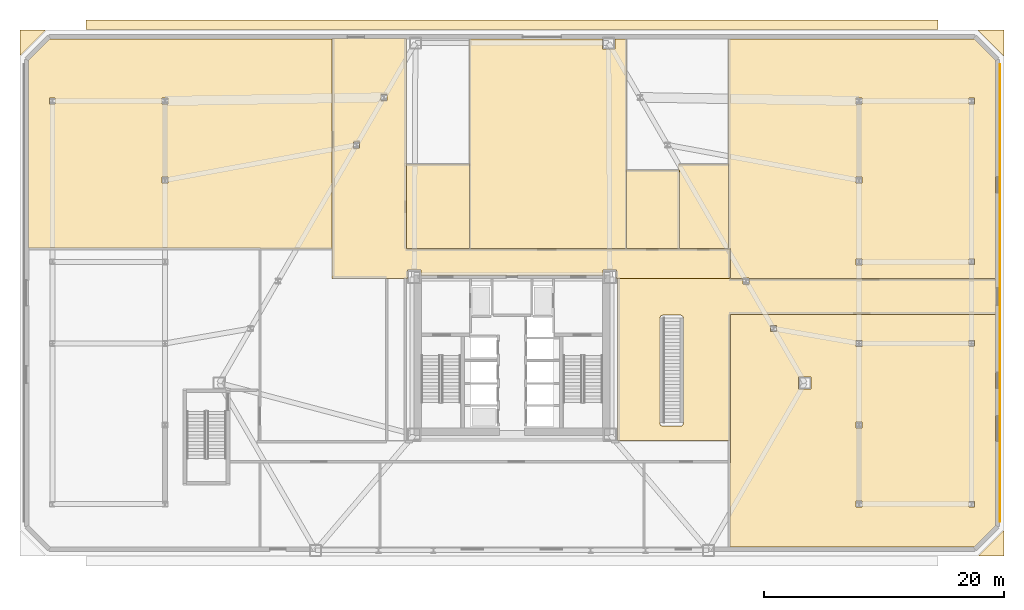
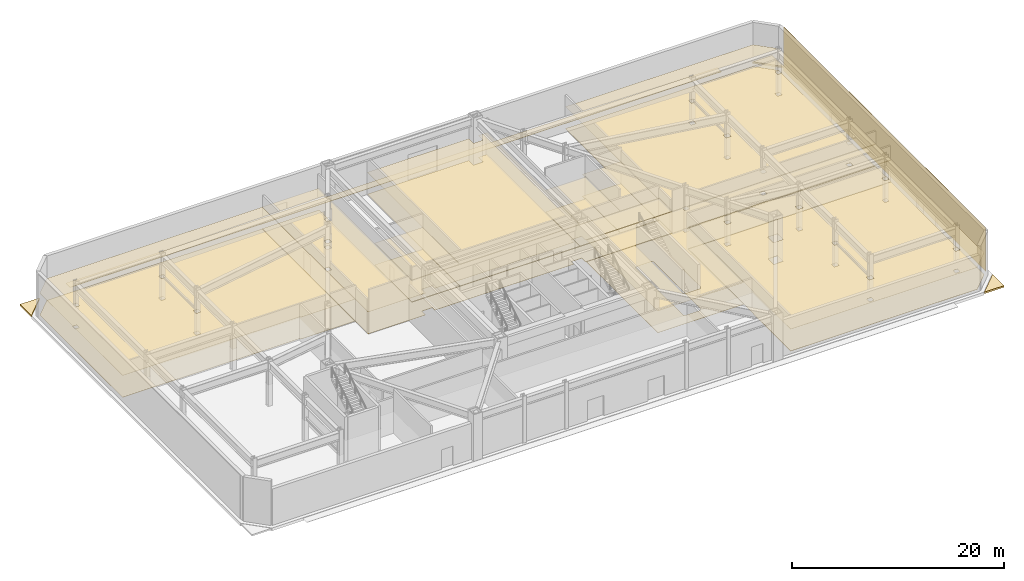
# One storey, part 11 of 12: 23 coverings.
"""IFC4 building model written with IfcOpenShell, lengths in metres."""

from ifc_helpers import new_model, si_unit, direction, frame, origin, origin_2d, place, context, subcontext, project, spatial, polyline, rectangle, outline, extrude, material, layer, layer_set, type_object, element, save


model = new_model("IFC4")

# Units and contexts
model_context = context("Model", 3, precision=1e-05, world=origin(), true_north=direction((0.0, 1.0)))
body_context = subcontext(model_context, "Body", "Model", "MODEL_VIEW")
ifc_project = project(units=[si_unit("LENGTHUNIT", "METRE"), si_unit("AREAUNIT", "SQUARE_METRE"), si_unit("VOLUMEUNIT", "CUBIC_METRE"), si_unit("PLANEANGLEUNIT", "RADIAN"), si_unit("MASSUNIT", "GRAM", prefix="KILO")], contexts=[model_context])

# Site, building, storey
site_placement = place(None, origin())
site = spatial("IfcSite", under=ifc_project, at=site_placement, CompositionType="ELEMENT")
building_placement = place(site_placement, origin())
building = spatial("IfcBuilding", under=site, at=building_placement, Name="Oramaril Tower", CompositionType="ELEMENT")
storey_placement = place(building_placement, origin())
storey = spatial("IfcBuildingStorey", under=building, at=storey_placement, Name="L00", CompositionType="ELEMENT", Elevation=0.0)

# Coverings
ifc_material_1 = material(Name="Mineral Fibre Acoustic Ceiling")
ifc_layer_1 = layer(ifc_material_1, 0.02001953125)
ifc_layer_set_1 = layer_set([ifc_layer_1], Name="CVT-CEIL")
covering_type_1 = type_object("IfcCoveringType", Name="CVT-CEIL", PredefinedType="CEILING", material=ifc_layer_set_1)
covering_1_placement = place(storey_placement, frame((0.0, 0.0, 2.52197265625)))
element("IfcCovering", 1, at=covering_1_placement, inside=storey, type_object=covering_type_1, Name="L00 Acoustic Suspended Ceiling 2", PredefinedType="CEILING", context=body_context, shape_type="SweptSolid", body=[
    extrude(outline(polyline([(22.52001953125, 44.02001953125), (28.699951171875, 44.02001953125), (28.699951171875, 26.47998046875), (55.679931640625, 26.47998046875), (55.679931640625, 24.02001953125), (46.219970703125, 24.02001953125), (46.219970703125, 24.719970703125), (45.080078125, 24.719970703125), (45.080078125, 24.25), (29.919921875, 24.25), (29.919921875, 24.719970703125), (28.780029296875, 24.719970703125), (28.780029296875, 24.02001953125), (22.52001953125, 24.02001953125), (22.52001953125, 44.02001953125)]), holes=[polyline([(24.795654296875, 35.390380859375), (24.290771484375, 35.390380859375), (24.290771484375, 34.885498046875), (24.795654296875, 34.885498046875), (24.795654296875, 35.390380859375)]), polyline([(27.08642578125, 38.85302734375), (27.08642578125, 39.358154296875), (26.581298828125, 39.358154296875), (26.581298828125, 38.85302734375), (27.08642578125, 38.85302734375)])]), origin(), (0.0, 0.0, 1.0), 0.02001953125),
])
covering_2_placement = place(storey_placement, frame((0.0, 0.0, 2.52197265625)))
element("IfcCovering", 2, at=covering_2_placement, inside=storey, type_object=covering_type_1, Name="L00 Acoustic Suspended Ceiling 4", PredefinedType="CEILING", context=body_context, shape_type="SweptSolid", body=[
    extrude(outline(polyline([(55.679931640625, 23.97998046875), (56.749267578125, 23.97998046875), (56.749267578125, 23.549560546875), (57.254150390625, 23.549560546875), (57.254150390625, 23.97998046875), (77.820068359375, 23.97998046875), (77.820068359375, 21.02001953125), (55.679931640625, 21.02001953125), (55.679931640625, 10.5), (46.300048828125, 10.5), (46.300048828125, 24.0), (55.679931640625, 24.0), (55.679931640625, 23.97998046875)]), holes=[polyline([(49.835693359375, 20.772216796875), (49.829833984375, 20.748291015625), (49.826171875, 20.72412109375), (49.824951171875, 20.699462890625), (49.824951171875, 11.949951171875), (49.826171875, 11.925537109375), (49.829833984375, 11.901123046875), (49.835693359375, 11.87744140625), (49.843994140625, 11.854248046875), (49.8544921875, 11.832275390625), (49.8671875, 11.81103515625), (49.881591796875, 11.79150390625), (49.898193359375, 11.773193359375), (49.91650390625, 11.756591796875), (49.93603515625, 11.7421875), (49.957275390625, 11.7294921875), (49.979248046875, 11.718994140625), (50.00244140625, 11.710693359375), (50.026123046875, 11.704833984375), (50.050537109375, 11.701171875), (50.074951171875, 11.699951171875), (51.52490234375, 11.699951171875), (51.549560546875, 11.701171875), (51.57373046875, 11.704833984375), (51.59765625, 11.710693359375), (51.62060546875, 11.718994140625), (51.642822265625, 11.7294921875), (51.663818359375, 11.7421875), (51.68359375, 11.756591796875), (51.701904296875, 11.773193359375), (51.71826171875, 11.79150390625), (51.73291015625, 11.81103515625), (51.74560546875, 11.832275390625), (51.756103515625, 11.854248046875), (51.76416015625, 11.87744140625), (51.770263671875, 11.901123046875), (51.773681640625, 11.925537109375), (51.77490234375, 11.949951171875), (51.77490234375, 20.699462890625), (51.773681640625, 20.72412109375), (51.770263671875, 20.748291015625), (51.76416015625, 20.772216796875), (51.756103515625, 20.795166015625), (51.74560546875, 20.8173828125), (51.73291015625, 20.83837890625), (51.71826171875, 20.858154296875), (51.701904296875, 20.876220703125), (51.68359375, 20.892822265625), (51.663818359375, 20.907470703125), (51.642822265625, 20.919921875), (51.62060546875, 20.930419921875), (51.59765625, 20.938720703125), (51.57373046875, 20.944580078125), (51.549560546875, 20.9482421875), (51.52490234375, 20.949462890625), (50.074951171875, 20.949462890625), (50.050537109375, 20.9482421875), (50.026123046875, 20.944580078125), (50.00244140625, 20.938720703125), (49.979248046875, 20.930419921875), (49.957275390625, 20.919921875), (49.93603515625, 20.907470703125), (49.91650390625, 20.892822265625), (49.898193359375, 20.876220703125), (49.881591796875, 20.858154296875), (49.8671875, 20.83837890625), (49.8544921875, 20.8173828125), (49.843994140625, 20.795166015625), (49.835693359375, 20.772216796875)])]), origin(), (0.0, 0.0, 1.0), 0.02001953125),
])
covering_3_placement = place(storey_placement, frame((0.0, 0.0, 2.52197265625)))
element("IfcCovering", 3, at=covering_3_placement, inside=storey, type_object=covering_type_1, Name="L00 Acoustic Suspended Ceiling 8", PredefinedType="CEILING", context=body_context, shape_type="SweptSolid", body=[
    extrude(outline(polyline([(76.002685546875, 1.617919921875), (55.662109375, 1.617919921875), (55.662109375, 8.64990234375), (55.679931640625, 8.64990234375), (55.681884765625, 8.650146484375), (55.683837890625, 8.650390625), (55.685791015625, 8.65087890625), (55.687744140625, 8.651611328125), (55.689453125, 8.65234375), (55.691162109375, 8.6533203125), (55.692626953125, 8.654541015625), (55.694091796875, 8.656005859375), (55.695556640625, 8.6572265625), (55.696533203125, 8.658935546875), (55.697509765625, 8.66064453125), (55.698486328125, 8.662353515625), (55.69921875, 8.664306640625), (55.69970703125, 8.666015625), (55.699951171875, 8.66796875), (55.699951171875, 8.669921875), (55.699951171875, 10.47998046875), (55.699951171875, 10.48193359375), (55.69970703125, 10.48388671875), (55.69921875, 10.48583984375), (55.698486328125, 10.48779296875), (55.697509765625, 10.489501953125), (55.697265625, 10.489990234375), (55.697509765625, 10.490478515625), (55.698486328125, 10.4921875), (55.69921875, 10.494140625), (55.69970703125, 10.49609375), (55.699951171875, 10.498046875), (55.699951171875, 10.5), (55.699951171875, 21.0), (77.781982421875, 21.0), (77.781982421875, 3.3974609375), (76.002685546875, 1.617919921875)]), holes=[polyline([(66.652587890625, 5.452392578125), (66.1474609375, 5.452392578125), (66.1474609375, 4.947509765625), (66.652587890625, 4.947509765625), (66.652587890625, 5.452392578125)]), polyline([(76.037109375, 4.962890625), (76.037109375, 5.43701171875), (75.56298828125, 5.43701171875), (75.56298828125, 4.962890625), (76.037109375, 4.962890625)]), polyline([(66.652587890625, 11.547607421875), (66.652587890625, 12.052490234375), (66.1474609375, 12.052490234375), (66.1474609375, 11.547607421875), (66.652587890625, 11.547607421875)]), polyline([(62.430419921875, 15.820068359375), (61.390380859375, 15.820068359375), (61.390380859375, 14.780029296875), (62.430419921875, 14.780029296875), (62.430419921875, 15.820068359375)]), polyline([(66.652587890625, 18.347412109375), (66.652587890625, 18.8525390625), (66.1474609375, 18.8525390625), (66.1474609375, 18.347412109375), (66.652587890625, 18.347412109375)]), polyline([(76.037109375, 18.8369140625), (75.56298828125, 18.8369140625), (75.56298828125, 18.363037109375), (76.037109375, 18.363037109375), (76.037109375, 18.8369140625)]), polyline([(59.544921875, 19.581787109375), (59.544921875, 20.0869140625), (59.039794921875, 20.0869140625), (59.039794921875, 19.581787109375), (59.544921875, 19.581787109375)])]), origin(), (0.0, 0.0, 1.0), 0.02001953125),
])
covering_4_placement = place(storey_placement, frame((0.0, 0.0, 2.52197265625)))
element("IfcCovering", 4, at=covering_4_placement, inside=storey, type_object=covering_type_1, Name="L00 Acoustic Suspended Ceiling 9", PredefinedType="CEILING", context=body_context, shape_type="SweptSolid", body=[
    extrude(outline(polyline([(77.781982421875, 42.20263671875), (77.781982421875, 24.0), (57.254150390625, 24.0), (57.254150390625, 24.054443359375), (56.749267578125, 24.054443359375), (56.749267578125, 24.0), (55.699951171875, 24.0), (55.699951171875, 24.0), (55.699951171875, 24.001953125), (55.69970703125, 24.00390625), (55.69921875, 24.005859375), (55.698486328125, 24.0078125), (55.697509765625, 24.009521484375), (55.697265625, 24.010009765625), (55.697509765625, 24.010498046875), (55.698486328125, 24.01220703125), (55.69921875, 24.01416015625), (55.69970703125, 24.01611328125), (55.699951171875, 24.01806640625), (55.699951171875, 24.02001953125), (55.699951171875, 26.47998046875), (55.699951171875, 26.48193359375), (55.69970703125, 26.48388671875), (55.69921875, 26.48583984375), (55.698486328125, 26.48779296875), (55.697509765625, 26.489501953125), (55.696533203125, 26.4912109375), (55.695556640625, 26.49267578125), (55.694091796875, 26.494140625), (55.692626953125, 26.49560546875), (55.691162109375, 26.49658203125), (55.689453125, 26.49755859375), (55.687744140625, 26.49853515625), (55.685791015625, 26.4990234375), (55.683837890625, 26.49951171875), (55.681884765625, 26.5), (55.679931640625, 26.5), (55.55810546875, 26.5), (55.55810546875, 43.98193359375), (76.002685546875, 43.98193359375), (77.781982421875, 42.20263671875)]), holes=[polyline([(66.652587890625, 25.652587890625), (66.1474609375, 25.652587890625), (66.1474609375, 25.1474609375), (66.652587890625, 25.1474609375), (66.652587890625, 25.652587890625)]), polyline([(76.037109375, 25.1630859375), (76.037109375, 25.636962890625), (75.56298828125, 25.636962890625), (75.56298828125, 25.1630859375), (76.037109375, 25.1630859375)]), polyline([(66.652587890625, 31.947509765625), (66.652587890625, 32.452392578125), (66.1474609375, 32.452392578125), (66.1474609375, 31.947509765625), (66.652587890625, 31.947509765625)]), polyline([(66.652587890625, 38.547607421875), (66.652587890625, 39.052490234375), (66.1474609375, 39.052490234375), (66.1474609375, 38.547607421875), (66.652587890625, 38.547607421875)]), polyline([(76.037109375, 38.56298828125), (76.037109375, 39.037109375), (75.56298828125, 39.037109375), (75.56298828125, 38.56298828125), (76.037109375, 38.56298828125)])]), origin(), (0.0, 0.0, 1.0), 0.02001953125),
])
covering_5_placement = place(storey_placement, frame((0.0, 0.0, 2.52197265625)))
element("IfcCovering", 5, at=covering_5_placement, inside=storey, type_object=covering_type_1, Name="L00 Acoustic Suspended Ceiling 11", PredefinedType="CEILING", context=body_context, shape_type="SweptSolid", body=[
    extrude(outline(polyline([(16.56201171875, 26.4580078125), (16.56201171875, 26.5419921875), (16.56201171875, 26.5439453125), (16.5615234375, 26.5458984375), (16.56103515625, 26.5478515625), (16.560546875, 26.5498046875), (16.5595703125, 26.551513671875), (16.55859375, 26.552978515625), (16.5576171875, 26.5546875), (16.55615234375, 26.55615234375), (16.5546875, 26.5576171875), (16.552978515625, 26.55859375), (16.551513671875, 26.5595703125), (16.5498046875, 26.560546875), (16.5478515625, 26.56103515625), (16.5458984375, 26.5615234375), (16.5439453125, 26.56201171875), (16.5419921875, 26.56201171875), (-2.781982421875, 26.56201171875), (-2.781982421875, 42.20263671875), (-1.002685546875, 43.98193359375), (22.5, 43.98193359375), (22.5, 26.4580078125), (16.56201171875, 26.4580078125)]), holes=[polyline([(8.8525390625, 31.947509765625), (8.8525390625, 32.452392578125), (8.347412109375, 32.452392578125), (8.347412109375, 31.947509765625), (8.8525390625, 31.947509765625)]), polyline([(-0.56298828125, 38.56298828125), (-0.56298828125, 39.037109375), (-1.037109375, 39.037109375), (-1.037109375, 38.56298828125), (-0.56298828125, 38.56298828125)]), polyline([(8.8525390625, 39.052490234375), (8.347412109375, 39.052490234375), (8.347412109375, 38.547607421875), (8.8525390625, 38.547607421875), (8.8525390625, 39.052490234375)])]), origin(), (0.0, 0.0, 1.0), 0.02001953125),
])
covering_6_placement = place(storey_placement, frame((0.0, 0.0, 2.52197265625)))
element("IfcCovering", 6, at=covering_6_placement, inside=storey, type_object=covering_type_1, Name="L00 Acoustic Suspended Ceiling 12", PredefinedType="CEILING", context=body_context, shape_type="SweptSolid", body=[
    extrude(outline(polyline([(45.0283203125, 43.98193359375), (45.0283203125, 43.1201171875), (46.068115234375, 43.1201171875), (46.068115234375, 43.98193359375), (47.0419921875, 43.98193359375), (47.0419921875, 26.5), (33.9580078125, 26.5), (33.9580078125, 43.98193359375), (45.0283203125, 43.98193359375)])), origin(), (0.0, 0.0, 1.0), 0.02001953125),
])
covering_7_placement = place(storey_placement, frame((0.0, 0.0, 2.52197265625)))
element("IfcCovering", 7, at=covering_7_placement, inside=storey, type_object=covering_type_1, Name="L00 Acoustic Suspended Ceiling 13", PredefinedType="CEILING", context=body_context, shape_type="SweptSolid", body=[
    extrude(outline(polyline([(33.93798828125, 33.5419921875), (33.93798828125, 26.5), (28.719970703125, 26.5), (28.719970703125, 33.5419921875), (33.93798828125, 33.5419921875)])), origin(), (0.0, 0.0, 1.0), 0.02001953125),
])
covering_8_placement = place(storey_placement, frame((0.0, 0.0, 2.52197265625)))
element("IfcCovering", 8, at=covering_8_placement, inside=storey, type_object=covering_type_1, Name="L00 Acoustic Suspended Ceiling 14", PredefinedType="CEILING", context=body_context, shape_type="SweptSolid", body=[
    extrude(outline(polyline([(51.44189453125, 26.5), (47.06201171875, 26.5), (47.06201171875, 33.0419921875), (51.44189453125, 33.0419921875), (51.44189453125, 26.5)])), origin(), (0.0, 0.0, 1.0), 0.02001953125),
])
covering_9_placement = place(storey_placement, frame((0.0, 0.0, 2.52197265625)))
element("IfcCovering", 9, at=covering_9_placement, inside=storey, type_object=covering_type_1, Name="L00 Acoustic Suspended Ceiling 15", PredefinedType="CEILING", context=body_context, shape_type="SweptSolid", body=[
    extrude(outline(polyline([(51.35791015625, 33.5419921875), (55.5380859375, 33.5419921875), (55.5380859375, 26.5), (51.4619140625, 26.5), (51.4619140625, 33.0419921875), (51.4619140625, 33.0439453125), (51.461669921875, 33.0458984375), (51.461181640625, 33.0478515625), (51.46044921875, 33.0498046875), (51.459716796875, 33.051513671875), (51.45849609375, 33.052978515625), (51.45751953125, 33.0546875), (51.4560546875, 33.05615234375), (51.45458984375, 33.0576171875), (51.453125, 33.05859375), (51.451416015625, 33.0595703125), (51.44970703125, 33.060546875), (51.44775390625, 33.06103515625), (51.44580078125, 33.0615234375), (51.444091796875, 33.06201171875), (51.44189453125, 33.06201171875), (51.35791015625, 33.06201171875), (51.35791015625, 33.5419921875)])), origin(), (0.0, 0.0, 1.0), 0.02001953125),
])
ifc_material_2 = material(Name="Warm Cream Limestone", Category="masonry")
ifc_layer_2 = layer(ifc_material_2, 0.050048828125)
ifc_layer_set_2 = layer_set([ifc_layer_2], Name="CVT-CLD")
covering_type_2 = type_object("IfcCoveringType", Name="CVT-CLD", PredefinedType="CLADDING", material=ifc_layer_set_2)
covering_10_placement = place(storey_placement, frame((78.1630859375, 22.800048828125, 0.050048828125), z_axis=(0.0, 0.0, 1.0), x_axis=(0.0, -1.0, 0.0)))
element("IfcCovering", 10, at=covering_10_placement, inside=storey, type_object=covering_type_2, Name="L00 Warm Cream Limestone Cladding", PredefinedType="CLADDING", context=body_context, shape_type="SweptSolid", body=[
    extrude(rectangle(XDim=38.144287109375, YDim=0.050048828125, at=origin_2d()), origin(), (0.0, 0.0, 1.0), 5.02001953125),
])
ifc_material_3 = material(Name="Honed Quartzite Stone Flooring", Category="masonry")
ifc_layer_3 = layer(ifc_material_3, 0.02490234375)
ifc_layer_set_3 = layer_set([ifc_layer_3], Name="CVT-FLR")
covering_type_3 = type_object("IfcCoveringType", Name="CVT-FLR", PredefinedType="FLOORING", material=ifc_layer_set_3)
covering_11_placement = place(storey_placement, origin())
element("IfcCovering", 11, at=covering_11_placement, inside=storey, type_object=covering_type_3, Name="L00 Honed Stone Floor Finish 2", PredefinedType="FLOORING", context=body_context, shape_type="SweptSolid", body=[
    extrude(outline(polyline([(22.52001953125, 44.02001953125), (28.699951171875, 44.02001953125), (28.699951171875, 26.47998046875), (55.679931640625, 26.47998046875), (55.679931640625, 24.02001953125), (46.219970703125, 24.02001953125), (46.219970703125, 24.719970703125), (45.080078125, 24.719970703125), (45.080078125, 24.25), (29.919921875, 24.25), (29.919921875, 24.719970703125), (28.780029296875, 24.719970703125), (28.780029296875, 24.02001953125), (22.52001953125, 24.02001953125), (22.52001953125, 44.02001953125)]), holes=[polyline([(24.795654296875, 35.390380859375), (24.290771484375, 35.390380859375), (24.290771484375, 34.885498046875), (24.795654296875, 34.885498046875), (24.795654296875, 35.390380859375)]), polyline([(27.08642578125, 38.85302734375), (27.08642578125, 39.358154296875), (26.581298828125, 39.358154296875), (26.581298828125, 38.85302734375), (27.08642578125, 38.85302734375)])]), origin(), (0.0, 0.0, 1.0), 0.02490234375),
])
covering_12_placement = place(storey_placement, origin())
element("IfcCovering", 12, at=covering_12_placement, inside=storey, type_object=covering_type_3, Name="L00 Honed Stone Floor Finish 4", PredefinedType="FLOORING", context=body_context, shape_type="SweptSolid", body=[
    extrude(outline(polyline([(55.679931640625, 23.97998046875), (56.749267578125, 23.97998046875), (56.749267578125, 23.549560546875), (57.254150390625, 23.549560546875), (57.254150390625, 23.97998046875), (77.820068359375, 23.97998046875), (77.820068359375, 21.02001953125), (55.679931640625, 21.02001953125), (55.679931640625, 10.5), (46.300048828125, 10.5), (46.300048828125, 24.0), (55.679931640625, 24.0), (55.679931640625, 23.97998046875)]), holes=[polyline([(49.835693359375, 20.772216796875), (49.829833984375, 20.748291015625), (49.826171875, 20.72412109375), (49.824951171875, 20.699462890625), (49.824951171875, 11.949951171875), (49.826171875, 11.925537109375), (49.829833984375, 11.901123046875), (49.835693359375, 11.87744140625), (49.843994140625, 11.854248046875), (49.8544921875, 11.832275390625), (49.8671875, 11.81103515625), (49.881591796875, 11.79150390625), (49.898193359375, 11.773193359375), (49.91650390625, 11.756591796875), (49.93603515625, 11.7421875), (49.957275390625, 11.7294921875), (49.979248046875, 11.718994140625), (50.00244140625, 11.710693359375), (50.026123046875, 11.704833984375), (50.050537109375, 11.701171875), (50.074951171875, 11.699951171875), (51.52490234375, 11.699951171875), (51.549560546875, 11.701171875), (51.57373046875, 11.704833984375), (51.59765625, 11.710693359375), (51.62060546875, 11.718994140625), (51.642822265625, 11.7294921875), (51.663818359375, 11.7421875), (51.68359375, 11.756591796875), (51.701904296875, 11.773193359375), (51.71826171875, 11.79150390625), (51.73291015625, 11.81103515625), (51.74560546875, 11.832275390625), (51.756103515625, 11.854248046875), (51.76416015625, 11.87744140625), (51.770263671875, 11.901123046875), (51.773681640625, 11.925537109375), (51.77490234375, 11.949951171875), (51.77490234375, 20.699462890625), (51.773681640625, 20.72412109375), (51.770263671875, 20.748291015625), (51.76416015625, 20.772216796875), (51.756103515625, 20.795166015625), (51.74560546875, 20.8173828125), (51.73291015625, 20.83837890625), (51.71826171875, 20.858154296875), (51.701904296875, 20.876220703125), (51.68359375, 20.892822265625), (51.663818359375, 20.907470703125), (51.642822265625, 20.919921875), (51.62060546875, 20.930419921875), (51.59765625, 20.938720703125), (51.57373046875, 20.944580078125), (51.549560546875, 20.9482421875), (51.52490234375, 20.949462890625), (50.074951171875, 20.949462890625), (50.050537109375, 20.9482421875), (50.026123046875, 20.944580078125), (50.00244140625, 20.938720703125), (49.979248046875, 20.930419921875), (49.957275390625, 20.919921875), (49.93603515625, 20.907470703125), (49.91650390625, 20.892822265625), (49.898193359375, 20.876220703125), (49.881591796875, 20.858154296875), (49.8671875, 20.83837890625), (49.8544921875, 20.8173828125), (49.843994140625, 20.795166015625), (49.835693359375, 20.772216796875)])]), origin(), (0.0, 0.0, 1.0), 0.02490234375),
])
covering_13_placement = place(storey_placement, origin())
element("IfcCovering", 13, at=covering_13_placement, inside=storey, type_object=covering_type_3, Name="L00 Honed Stone Floor Finish 8", PredefinedType="FLOORING", context=body_context, shape_type="SweptSolid", body=[
    extrude(outline(polyline([(76.002685546875, 1.617919921875), (55.662109375, 1.617919921875), (55.662109375, 8.64990234375), (55.679931640625, 8.64990234375), (55.681884765625, 8.650146484375), (55.683837890625, 8.650390625), (55.685791015625, 8.65087890625), (55.687744140625, 8.651611328125), (55.689453125, 8.65234375), (55.691162109375, 8.6533203125), (55.692626953125, 8.654541015625), (55.694091796875, 8.656005859375), (55.695556640625, 8.6572265625), (55.696533203125, 8.658935546875), (55.697509765625, 8.66064453125), (55.698486328125, 8.662353515625), (55.69921875, 8.664306640625), (55.69970703125, 8.666015625), (55.699951171875, 8.66796875), (55.699951171875, 8.669921875), (55.699951171875, 10.47998046875), (55.699951171875, 10.48193359375), (55.69970703125, 10.48388671875), (55.69921875, 10.48583984375), (55.698486328125, 10.48779296875), (55.697509765625, 10.489501953125), (55.697265625, 10.489990234375), (55.697509765625, 10.490478515625), (55.698486328125, 10.4921875), (55.69921875, 10.494140625), (55.69970703125, 10.49609375), (55.699951171875, 10.498046875), (55.699951171875, 10.5), (55.699951171875, 21.0), (77.781982421875, 21.0), (77.781982421875, 3.3974609375), (76.002685546875, 1.617919921875)]), holes=[polyline([(66.652587890625, 5.452392578125), (66.1474609375, 5.452392578125), (66.1474609375, 4.947509765625), (66.652587890625, 4.947509765625), (66.652587890625, 5.452392578125)]), polyline([(76.037109375, 4.962890625), (76.037109375, 5.43701171875), (75.56298828125, 5.43701171875), (75.56298828125, 4.962890625), (76.037109375, 4.962890625)]), polyline([(66.652587890625, 11.547607421875), (66.652587890625, 12.052490234375), (66.1474609375, 12.052490234375), (66.1474609375, 11.547607421875), (66.652587890625, 11.547607421875)]), polyline([(62.430419921875, 15.820068359375), (61.390380859375, 15.820068359375), (61.390380859375, 14.780029296875), (62.430419921875, 14.780029296875), (62.430419921875, 15.820068359375)]), polyline([(66.652587890625, 18.347412109375), (66.652587890625, 18.8525390625), (66.1474609375, 18.8525390625), (66.1474609375, 18.347412109375), (66.652587890625, 18.347412109375)]), polyline([(76.037109375, 18.8369140625), (75.56298828125, 18.8369140625), (75.56298828125, 18.363037109375), (76.037109375, 18.363037109375), (76.037109375, 18.8369140625)]), polyline([(59.544921875, 19.581787109375), (59.544921875, 20.0869140625), (59.039794921875, 20.0869140625), (59.039794921875, 19.581787109375), (59.544921875, 19.581787109375)])]), origin(), (0.0, 0.0, 1.0), 0.02490234375),
])
covering_14_placement = place(storey_placement, origin())
element("IfcCovering", 14, at=covering_14_placement, inside=storey, type_object=covering_type_3, Name="L00 Honed Stone Floor Finish 9", PredefinedType="FLOORING", context=body_context, shape_type="SweptSolid", body=[
    extrude(outline(polyline([(77.781982421875, 42.20263671875), (77.781982421875, 24.0), (57.254150390625, 24.0), (57.254150390625, 24.054443359375), (56.749267578125, 24.054443359375), (56.749267578125, 24.0), (55.699951171875, 24.0), (55.699951171875, 24.0), (55.699951171875, 24.001953125), (55.69970703125, 24.00390625), (55.69921875, 24.005859375), (55.698486328125, 24.0078125), (55.697509765625, 24.009521484375), (55.697265625, 24.010009765625), (55.697509765625, 24.010498046875), (55.698486328125, 24.01220703125), (55.69921875, 24.01416015625), (55.69970703125, 24.01611328125), (55.699951171875, 24.01806640625), (55.699951171875, 24.02001953125), (55.699951171875, 26.47998046875), (55.699951171875, 26.48193359375), (55.69970703125, 26.48388671875), (55.69921875, 26.48583984375), (55.698486328125, 26.48779296875), (55.697509765625, 26.489501953125), (55.696533203125, 26.4912109375), (55.695556640625, 26.49267578125), (55.694091796875, 26.494140625), (55.692626953125, 26.49560546875), (55.691162109375, 26.49658203125), (55.689453125, 26.49755859375), (55.687744140625, 26.49853515625), (55.685791015625, 26.4990234375), (55.683837890625, 26.49951171875), (55.681884765625, 26.5), (55.679931640625, 26.5), (55.55810546875, 26.5), (55.55810546875, 43.98193359375), (76.002685546875, 43.98193359375), (77.781982421875, 42.20263671875)]), holes=[polyline([(66.652587890625, 25.652587890625), (66.1474609375, 25.652587890625), (66.1474609375, 25.1474609375), (66.652587890625, 25.1474609375), (66.652587890625, 25.652587890625)]), polyline([(76.037109375, 25.1630859375), (76.037109375, 25.636962890625), (75.56298828125, 25.636962890625), (75.56298828125, 25.1630859375), (76.037109375, 25.1630859375)]), polyline([(66.652587890625, 31.947509765625), (66.652587890625, 32.452392578125), (66.1474609375, 32.452392578125), (66.1474609375, 31.947509765625), (66.652587890625, 31.947509765625)]), polyline([(66.652587890625, 38.547607421875), (66.652587890625, 39.052490234375), (66.1474609375, 39.052490234375), (66.1474609375, 38.547607421875), (66.652587890625, 38.547607421875)]), polyline([(76.037109375, 38.56298828125), (76.037109375, 39.037109375), (75.56298828125, 39.037109375), (75.56298828125, 38.56298828125), (76.037109375, 38.56298828125)])]), origin(), (0.0, 0.0, 1.0), 0.02490234375),
])
covering_15_placement = place(storey_placement, origin())
element("IfcCovering", 15, at=covering_15_placement, inside=storey, type_object=covering_type_3, Name="L00 Honed Stone Floor Finish 11", PredefinedType="FLOORING", context=body_context, shape_type="SweptSolid", body=[
    extrude(outline(polyline([(16.56201171875, 26.4580078125), (16.56201171875, 26.5419921875), (16.56201171875, 26.5439453125), (16.5615234375, 26.5458984375), (16.56103515625, 26.5478515625), (16.560546875, 26.5498046875), (16.5595703125, 26.551513671875), (16.55859375, 26.552978515625), (16.5576171875, 26.5546875), (16.55615234375, 26.55615234375), (16.5546875, 26.5576171875), (16.552978515625, 26.55859375), (16.551513671875, 26.5595703125), (16.5498046875, 26.560546875), (16.5478515625, 26.56103515625), (16.5458984375, 26.5615234375), (16.5439453125, 26.56201171875), (16.5419921875, 26.56201171875), (-2.781982421875, 26.56201171875), (-2.781982421875, 42.20263671875), (-1.002685546875, 43.98193359375), (22.5, 43.98193359375), (22.5, 26.4580078125), (16.56201171875, 26.4580078125)]), holes=[polyline([(8.8525390625, 31.947509765625), (8.8525390625, 32.452392578125), (8.347412109375, 32.452392578125), (8.347412109375, 31.947509765625), (8.8525390625, 31.947509765625)]), polyline([(-0.56298828125, 38.56298828125), (-0.56298828125, 39.037109375), (-1.037109375, 39.037109375), (-1.037109375, 38.56298828125), (-0.56298828125, 38.56298828125)]), polyline([(8.8525390625, 39.052490234375), (8.347412109375, 39.052490234375), (8.347412109375, 38.547607421875), (8.8525390625, 38.547607421875), (8.8525390625, 39.052490234375)])]), origin(), (0.0, 0.0, 1.0), 0.02490234375),
])
covering_16_placement = place(storey_placement, origin())
element("IfcCovering", 16, at=covering_16_placement, inside=storey, type_object=covering_type_3, Name="L00 Honed Stone Floor Finish 12", PredefinedType="FLOORING", context=body_context, shape_type="SweptSolid", body=[
    extrude(outline(polyline([(45.0283203125, 43.98193359375), (45.0283203125, 43.1201171875), (46.068115234375, 43.1201171875), (46.068115234375, 43.98193359375), (47.0419921875, 43.98193359375), (47.0419921875, 26.5), (33.9580078125, 26.5), (33.9580078125, 43.98193359375), (45.0283203125, 43.98193359375)])), origin(), (0.0, 0.0, 1.0), 0.02490234375),
])
covering_17_placement = place(storey_placement, origin())
element("IfcCovering", 17, at=covering_17_placement, inside=storey, type_object=covering_type_3, Name="L00 Honed Stone Floor Finish 13", PredefinedType="FLOORING", context=body_context, shape_type="SweptSolid", body=[
    extrude(outline(polyline([(33.93798828125, 33.5419921875), (33.93798828125, 26.5), (28.719970703125, 26.5), (28.719970703125, 33.5419921875), (33.93798828125, 33.5419921875)])), origin(), (0.0, 0.0, 1.0), 0.02490234375),
])
covering_18_placement = place(storey_placement, origin())
element("IfcCovering", 18, at=covering_18_placement, inside=storey, type_object=covering_type_3, Name="L00 Honed Stone Floor Finish 14", PredefinedType="FLOORING", context=body_context, shape_type="SweptSolid", body=[
    extrude(outline(polyline([(51.44189453125, 26.5), (47.06201171875, 26.5), (47.06201171875, 33.0419921875), (51.44189453125, 33.0419921875), (51.44189453125, 26.5)])), origin(), (0.0, 0.0, 1.0), 0.02490234375),
])
covering_19_placement = place(storey_placement, origin())
element("IfcCovering", 19, at=covering_19_placement, inside=storey, type_object=covering_type_3, Name="L00 Honed Stone Floor Finish 15", PredefinedType="FLOORING", context=body_context, shape_type="SweptSolid", body=[
    extrude(outline(polyline([(51.35791015625, 33.5419921875), (55.5380859375, 33.5419921875), (55.5380859375, 26.5), (51.4619140625, 26.5), (51.4619140625, 33.0419921875), (51.4619140625, 33.0439453125), (51.461669921875, 33.0458984375), (51.461181640625, 33.0478515625), (51.46044921875, 33.0498046875), (51.459716796875, 33.051513671875), (51.45849609375, 33.052978515625), (51.45751953125, 33.0546875), (51.4560546875, 33.05615234375), (51.45458984375, 33.0576171875), (51.453125, 33.05859375), (51.451416015625, 33.0595703125), (51.44970703125, 33.060546875), (51.44775390625, 33.06103515625), (51.44580078125, 33.0615234375), (51.444091796875, 33.06201171875), (51.44189453125, 33.06201171875), (51.35791015625, 33.06201171875), (51.35791015625, 33.5419921875)])), origin(), (0.0, 0.0, 1.0), 0.02490234375),
])
ifc_material_4 = material(Name="Concrete C40/50", Category="concrete")
ifc_layer_4 = layer(ifc_material_4, 0.179931640625)
ifc_layer_set_4 = layer_set([ifc_layer_4], Name="CVT-PAV18")
covering_type_4 = type_object("IfcCoveringType", Name="CVT-PAV18", PredefinedType="USERDEFINED", material=ifc_layer_set_4)
covering_20_placement = place(storey_placement, frame((0.0, 0.0, -0.179931640625)))
element("IfcCovering", 20, at=covering_20_placement, inside=storey, type_object=covering_type_4, Name="L00 Grade Corner Entry Paving APR-SE", ObjectType="PAVING", PredefinedType="USERDEFINED", context=body_context, shape_type="SweptSolid", body=[
    extrude(outline(polyline([(76.35009765625, 0.89990234375), (78.5, 0.89990234375), (78.5, 3.050048828125), (76.35009765625, 0.89990234375)])), origin(), (0.0, 0.0, 1.0), 0.179931640625),
])
covering_21_placement = place(storey_placement, frame((0.0, 0.0, -0.179931640625)))
element("IfcCovering", 21, at=covering_21_placement, inside=storey, type_object=covering_type_4, Name="L00 Grade Corner Entry Paving APR-NE", ObjectType="PAVING", PredefinedType="USERDEFINED", context=body_context, shape_type="SweptSolid", body=[
    extrude(outline(polyline([(78.5, 42.550048828125), (78.5, 44.699951171875), (76.35009765625, 44.699951171875), (78.5, 42.550048828125)])), origin(), (0.0, 0.0, 1.0), 0.179931640625),
])
covering_22_placement = place(storey_placement, frame((0.0, 0.0, -0.179931640625)))
element("IfcCovering", 22, at=covering_22_placement, inside=storey, type_object=covering_type_4, Name="L00 Grade Corner Entry Paving APR-NW", ObjectType="PAVING", PredefinedType="USERDEFINED", context=body_context, shape_type="SweptSolid", body=[
    extrude(outline(polyline([(-3.5, 44.699951171875), (-3.5, 42.550048828125), (-1.35009765625, 44.699951171875), (-3.5, 44.699951171875)])), origin(), (0.0, 0.0, 1.0), 0.179931640625),
])
ifc_material_5 = material(Name="Granite Cobble Paving", Category="masonry")
ifc_layer_5 = layer(ifc_material_5, 0.0400390625)
ifc_layer_set_5 = layer_set([ifc_layer_5], Name="CVT-RDW")
covering_type_5 = type_object("IfcCoveringType", Name="CVT-RDW", PredefinedType="USERDEFINED", material=ifc_layer_set_5)
covering_23_placement = place(storey_placement, frame((0.0, 0.0, -0.0400390625)))
element("IfcCovering", 23, at=covering_23_placement, inside=storey, type_object=covering_type_5, Name="L00 North Service Access Roadway", ObjectType="ROADWAY", PredefinedType="USERDEFINED", context=body_context, shape_type="SweptSolid", body=[
    extrude(outline(polyline([(2.0, 44.75), (73.0, 44.75), (73.0, 45.550048828125), (2.0, 45.550048828125), (2.0, 44.75)])), origin(), (0.0, 0.0, 1.0), 0.0400390625),
])

save(model, "model.ifc")
